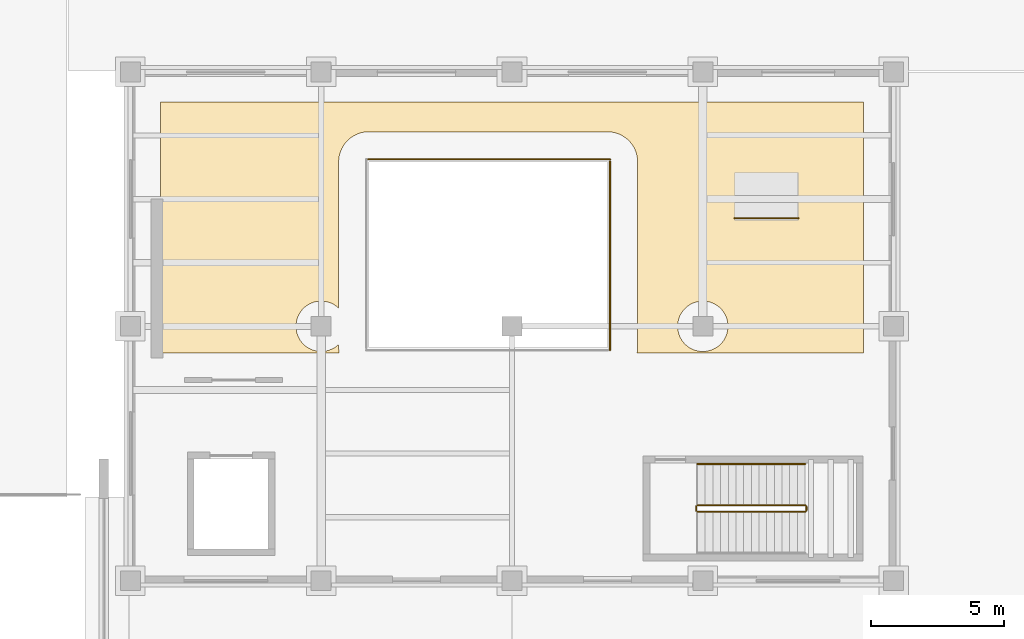
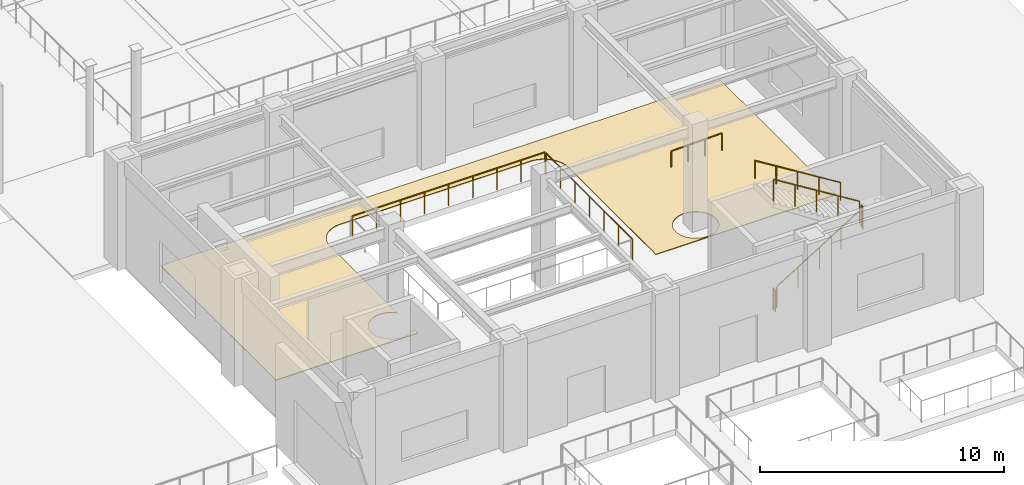
# One storey, part 148 of 164: 8 railings, 1 covering.
"""IFC4 building model written with IfcOpenShell, lengths in metres."""

from ifc_helpers import new_model, si_unit, direction, frame, origin, origin_2d, place, context, subcontext, project, spatial, polyline, circle, outline, extrude, material, layer, layer_set, type_object, element, save


model = new_model("IFC4")

# Units and contexts
model_context = context("Model", 3, precision=1e-05, world=origin(), true_north=direction((0.0, 1.0)))
body_context = subcontext(model_context, "Body", "Model", "MODEL_VIEW")
ifc_project = project(units=[si_unit("LENGTHUNIT", "METRE"), si_unit("AREAUNIT", "SQUARE_METRE"), si_unit("VOLUMEUNIT", "CUBIC_METRE"), si_unit("PLANEANGLEUNIT", "RADIAN"), si_unit("MASSUNIT", "GRAM", prefix="KILO")], contexts=[model_context])

# Site, building, storey
site_placement = place(None, origin())
site = spatial("IfcSite", under=ifc_project, at=site_placement, CompositionType="ELEMENT")
building_placement = place(site_placement, origin())
building = spatial("IfcBuilding", under=site, at=building_placement, Name="Mavantir Sound Aquarium", CompositionType="ELEMENT")
storey_placement = place(building_placement, origin())
storey = spatial("IfcBuildingStorey", under=building, at=storey_placement, Name="L00", CompositionType="ELEMENT", Elevation=0.0)

# Covering
ifc_material_1 = material(Name="Marine Epoxy Recycled-Shell Terrazzo Flooring")
ifc_layer = layer(ifc_material_1, 0.030029296875, Name="Marine Epoxy Recycled-Shell Terrazzo Flooring")
ifc_layer_set = layer_set([ifc_layer], Name="Marine Epoxy Recycled-Shell Terrazzo Flooring")
covering_type = type_object("IfcCoveringType", Name="COV-FLR-TZ", PredefinedType="FLOORING", material=ifc_layer_set)
covering_placement = place(storey_placement, origin())
element("IfcCovering", 1, at=covering_placement, inside=storey, type_object=covering_type, Name="L00 Main Public Reception, Ticketing and Harbour Arcade terrazzo flooring", PredefinedType="FLOORING", context=body_context, shape_type="SweptSolid", body=[
    extrude(outline(polyline([(94.860107421875, 32.4599609375), (94.860107421875, 23.0), (86.3212890625, 23.0), (86.325927734375, 23.023193359375), (86.329345703125, 23.04638671875), (86.337646484375, 23.130615234375), (86.3388671875, 23.154052734375), (86.340087890625, 23.199951171875), (86.340087890625, 30.199951171875), (86.3388671875, 30.245849609375), (86.337646484375, 30.269287109375), (86.329345703125, 30.353515625), (86.325927734375, 30.376708984375), (86.308837890625, 30.464111328125), (86.302978515625, 30.487060546875), (86.27587890625, 30.575927734375), (86.26806640625, 30.59814453125), (86.236328125, 30.67431640625), (86.226318359375, 30.695556640625), (86.183837890625, 30.775634765625), (86.171630859375, 30.7958984375), (86.122314453125, 30.86962890625), (86.108154296875, 30.888671875), (86.0517578125, 30.957275390625), (86.035888671875, 30.974609375), (85.974609375, 31.035888671875), (85.957275390625, 31.0517578125), (85.888671875, 31.108154296875), (85.86962890625, 31.122314453125), (85.7958984375, 31.171630859375), (85.775634765625, 31.183837890625), (85.695556640625, 31.226318359375), (85.67431640625, 31.236328125), (85.59814453125, 31.26806640625), (85.575927734375, 31.27587890625), (85.487060546875, 31.302978515625), (85.464111328125, 31.308837890625), (85.376708984375, 31.325927734375), (85.353515625, 31.329345703125), (85.269287109375, 31.337646484375), (85.245849609375, 31.3388671875), (85.199951171875, 31.340087890625), (76.199951171875, 31.340087890625), (76.154052734375, 31.3388671875), (76.130615234375, 31.337646484375), (76.04638671875, 31.329345703125), (76.023193359375, 31.325927734375), (75.935791015625, 31.308837890625), (75.912841796875, 31.302978515625), (75.823974609375, 31.27587890625), (75.802001953125, 31.26806640625), (75.7255859375, 31.236328125), (75.704345703125, 31.226318359375), (75.62451171875, 31.183837890625), (75.604248046875, 31.171630859375), (75.530517578125, 31.122314453125), (75.511474609375, 31.108154296875), (75.442626953125, 31.0517578125), (75.42529296875, 31.035888671875), (75.364013671875, 30.974609375), (75.34814453125, 30.957275390625), (75.291748046875, 30.888671875), (75.277587890625, 30.86962890625), (75.228271484375, 30.7958984375), (75.21630859375, 30.775634765625), (75.173583984375, 30.695556640625), (75.16357421875, 30.67431640625), (75.132080078125, 30.59814453125), (75.1240234375, 30.575927734375), (75.096923828125, 30.487060546875), (75.09130859375, 30.464111328125), (75.073974609375, 30.376708984375), (75.070556640625, 30.353515625), (75.0625, 30.269287109375), (75.061279296875, 30.245849609375), (75.06005859375, 30.199951171875), (75.06005859375, 24.682373046875), (75.002685546875, 24.734375), (74.927734375, 24.789794921875), (74.847900390625, 24.837890625), (74.763427734375, 24.877685546875), (74.67578125, 24.9091796875), (74.585205078125, 24.931640625), (74.4931640625, 24.9453125), (74.39990234375, 24.949951171875), (74.306884765625, 24.9453125), (74.214599609375, 24.931640625), (74.124267578125, 24.9091796875), (74.03662109375, 24.877685546875), (73.9521484375, 24.837890625), (73.872314453125, 24.789794921875), (73.79736328125, 24.734375), (73.728271484375, 24.671875), (73.66552734375, 24.602783203125), (73.610107421875, 24.52783203125), (73.562255859375, 24.44775390625), (73.522216796875, 24.363525390625), (73.490966796875, 24.27587890625), (73.46826171875, 24.185302734375), (73.45458984375, 24.093017578125), (73.449951171875, 24.0), (73.45458984375, 23.906982421875), (73.46826171875, 23.814697265625), (73.490966796875, 23.72412109375), (73.522216796875, 23.636474609375), (73.562255859375, 23.55224609375), (73.610107421875, 23.47216796875), (73.66552734375, 23.397216796875), (73.728271484375, 23.328125), (73.79736328125, 23.265625), (73.872314453125, 23.210205078125), (73.9521484375, 23.162109375), (74.03662109375, 23.122314453125), (74.124267578125, 23.0908203125), (74.214599609375, 23.068359375), (74.306884765625, 23.0546875), (74.39990234375, 23.050048828125), (74.4931640625, 23.0546875), (74.585205078125, 23.068359375), (74.67578125, 23.0908203125), (74.763427734375, 23.122314453125), (74.847900390625, 23.162109375), (74.927734375, 23.210205078125), (75.002685546875, 23.265625), (75.06005859375, 23.317626953125), (75.06005859375, 23.199951171875), (75.061279296875, 23.154052734375), (75.0625, 23.130615234375), (75.070556640625, 23.04638671875), (75.073974609375, 23.023193359375), (75.07861328125, 23.0), (68.340087890625, 23.0), (68.340087890625, 32.4599609375), (94.860107421875, 32.4599609375)]), holes=[polyline([(89.534423828125, 23.397216796875), (89.58984375, 23.47216796875), (89.6376953125, 23.55224609375), (89.677734375, 23.636474609375), (89.708984375, 23.72412109375), (89.731689453125, 23.814697265625), (89.745361328125, 23.906982421875), (89.75, 24.0), (89.745361328125, 24.093017578125), (89.731689453125, 24.185302734375), (89.708984375, 24.27587890625), (89.677734375, 24.363525390625), (89.6376953125, 24.44775390625), (89.58984375, 24.52783203125), (89.534423828125, 24.602783203125), (89.4716796875, 24.671875), (89.402587890625, 24.734375), (89.327880859375, 24.789794921875), (89.247802734375, 24.837890625), (89.16357421875, 24.877685546875), (89.07568359375, 24.9091796875), (88.9853515625, 24.931640625), (88.89306640625, 24.9453125), (88.800048828125, 24.949951171875), (88.706787109375, 24.9453125), (88.61474609375, 24.931640625), (88.524169921875, 24.9091796875), (88.4365234375, 24.877685546875), (88.352294921875, 24.837890625), (88.272216796875, 24.789794921875), (88.197265625, 24.734375), (88.128173828125, 24.671875), (88.065673828125, 24.602783203125), (88.010009765625, 24.52783203125), (87.962158203125, 24.44775390625), (87.92236328125, 24.363525390625), (87.890869140625, 24.27587890625), (87.868408203125, 24.185302734375), (87.8544921875, 24.093017578125), (87.85009765625, 24.0), (87.8544921875, 23.906982421875), (87.868408203125, 23.814697265625), (87.890869140625, 23.72412109375), (87.92236328125, 23.636474609375), (87.962158203125, 23.55224609375), (88.010009765625, 23.47216796875), (88.065673828125, 23.397216796875), (88.128173828125, 23.328125), (88.197265625, 23.265625), (88.272216796875, 23.210205078125), (88.352294921875, 23.162109375), (88.4365234375, 23.122314453125), (88.524169921875, 23.0908203125), (88.61474609375, 23.068359375), (88.706787109375, 23.0546875), (88.800048828125, 23.050048828125), (88.89306640625, 23.0546875), (88.9853515625, 23.068359375), (89.07568359375, 23.0908203125), (89.16357421875, 23.122314453125), (89.247802734375, 23.162109375), (89.327880859375, 23.210205078125), (89.402587890625, 23.265625), (89.4716796875, 23.328125), (89.534423828125, 23.397216796875)])]), origin(), (0.0, 0.0, 1.0), 0.030029296875),
])

# Railings
ifc_material_2 = material(Name="Stainless Steel 316 and Laminated Glass Guardrail", Category="steel")
railing_type_1 = type_object("IfcRailingType", Name="RL-GUARD-110", PredefinedType="GUARDRAIL", material=ifc_material_2)
railing_1_placement = place(storey_placement, frame((85.300048828125, 23.10009765625, 0.0)))
element("IfcRailing", 2, at=railing_1_placement, inside=storey, type_object=railing_type_1, Name="L00 atrium void E guardrail 64", PredefinedType="GUARDRAIL", context=body_context, shape_type="SweptSolid", body=[
    extrude(circle(Radius=0.02392578125, at=origin_2d()), frame((0.0, 0.0, 1.076171875), z_axis=(0.0, 1.0, 0.0), x_axis=(-1.0, 0.0, 0.0)), (0.0, 0.0, 1.0), 7.119873046875),
    extrude(circle(Radius=0.02099609375, at=origin_2d()), origin(), (0.0, 0.0, 1.0), 1.052001953125),
    extrude(circle(Radius=0.02099609375, at=origin_2d()), frame((0.0, 1.1865234375, 0.0)), (0.0, 0.0, 1.0), 1.052001953125),
    extrude(circle(Radius=0.02099609375, at=origin_2d()), frame((0.0, 2.373291015625, 0.0)), (0.0, 0.0, 1.0), 1.052001953125),
    extrude(circle(Radius=0.02099609375, at=origin_2d()), frame((0.0, 3.56005859375, 0.0)), (0.0, 0.0, 1.0), 1.052001953125),
    extrude(circle(Radius=0.02099609375, at=origin_2d()), frame((0.0, 4.74658203125, 0.0)), (0.0, 0.0, 1.0), 1.052001953125),
    extrude(circle(Radius=0.02099609375, at=origin_2d()), frame((0.0, 5.93310546875, 0.0)), (0.0, 0.0, 1.0), 1.052001953125),
    extrude(circle(Radius=0.02099609375, at=origin_2d()), frame((0.0, 7.119873046875, 0.0)), (0.0, 0.0, 1.0), 1.052001953125),
])
railing_2_placement = place(storey_placement, frame((85.300048828125, 30.300048828125, 0.0)))
element("IfcRailing", 3, at=railing_2_placement, inside=storey, type_object=railing_type_1, Name="L00 atrium void N guardrail 65", PredefinedType="GUARDRAIL", context=body_context, shape_type="SweptSolid", body=[
    extrude(circle(Radius=0.02392578125, at=origin_2d()), frame((0.0, 0.0, 1.076171875), z_axis=(-1.0, 0.0, 0.0), x_axis=(0.0, -1.0, 0.0)), (0.0, 0.0, 1.0), 9.1201171875),
    extrude(circle(Radius=0.02099609375, at=origin_2d()), origin(), (0.0, 0.0, 1.0), 1.052001953125),
    extrude(circle(Radius=0.02099609375, at=origin_2d()), frame((-1.14013671875, 0.0, 0.0)), (0.0, 0.0, 1.0), 1.052001953125),
    extrude(circle(Radius=0.02099609375, at=origin_2d()), frame((-2.280029296875, 0.0, 0.0)), (0.0, 0.0, 1.0), 1.052001953125),
    extrude(circle(Radius=0.02099609375, at=origin_2d()), frame((-3.419921875, 0.0, 0.0)), (0.0, 0.0, 1.0), 1.052001953125),
    extrude(circle(Radius=0.02099609375, at=origin_2d()), frame((-4.56005859375, 0.0, 0.0)), (0.0, 0.0, 1.0), 1.052001953125),
    extrude(circle(Radius=0.02099609375, at=origin_2d()), frame((-5.7001953125, 0.0, 0.0)), (0.0, 0.0, 1.0), 1.052001953125),
    extrude(circle(Radius=0.02099609375, at=origin_2d()), frame((-6.840087890625, 0.0, 0.0)), (0.0, 0.0, 1.0), 1.052001953125),
    extrude(circle(Radius=0.02099609375, at=origin_2d()), frame((-7.97998046875, 0.0, 0.0)), (0.0, 0.0, 1.0), 1.052001953125),
    extrude(circle(Radius=0.02099609375, at=origin_2d()), frame((-9.1201171875, 0.0, 0.0)), (0.0, 0.0, 1.0), 1.052001953125),
])
railing_3_placement = place(storey_placement, frame((88.60009765625, 17.0, 0.179931640625)))
element("IfcRailing", 4, at=railing_3_placement, inside=storey, type_object=railing_type_1, Name="L00 ST11 stair guard 1", PredefinedType="GUARDRAIL", context=body_context, shape_type="SweptSolid", body=[
    extrude(circle(Radius=0.02392578125, at=origin_2d()), frame((0.0, 0.0, 1.076171875), z_axis=(0.849627535208, 0.0, 0.527383211162), x_axis=(0.0, 1.0, 0.0)), (0.0, 0.0, 1.0), 4.7783203125),
    extrude(circle(Radius=0.02099609375, at=origin_2d()), origin(), (0.0, 0.0, 1.0), 1.052001953125),
    extrude(circle(Radius=0.02099609375, at=origin_2d()), frame((1.014892578125, 0.0, 0.6298828125)), (0.0, 0.0, 1.0), 1.052001953125),
    extrude(circle(Radius=0.02099609375, at=origin_2d()), frame((2.02978515625, 0.0, 1.260009765625)), (0.0, 0.0, 1.0), 1.052001953125),
    extrude(circle(Radius=0.02099609375, at=origin_2d()), frame((3.044921875, 0.0, 1.89013671875)), (0.0, 0.0, 1.0), 1.052001953125),
    extrude(circle(Radius=0.02099609375, at=origin_2d()), frame((4.059814453125, 0.0, 2.52001953125)), (0.0, 0.0, 1.0), 1.052001953125),
])
railing_4_placement = place(storey_placement, frame((92.7099609375, 17.050048828125, 2.699951171875)))
element("IfcRailing", 5, at=railing_4_placement, inside=storey, type_object=railing_type_1, Name="L00 ST11 stair guard 2", PredefinedType="GUARDRAIL", context=body_context, shape_type="SweptSolid", body=[
    extrude(circle(Radius=0.02392578125, at=origin_2d()), frame((0.0, 0.0, 1.076171875), z_axis=(0.0, 1.0, 0.0), x_axis=(-1.0, 0.0, 0.0)), (0.0, 0.0, 1.0), 0.14990234375),
    extrude(circle(Radius=0.02099609375, at=origin_2d()), origin(), (0.0, 0.0, 1.0), 1.052001953125),
    extrude(circle(Radius=0.02099609375, at=origin_2d()), frame((0.0, 0.14990234375, 0.0)), (0.0, 0.0, 1.0), 1.052001953125),
])
railing_5_placement = place(storey_placement, frame((92.659912109375, 17.25, 2.8798828125)))
element("IfcRailing", 6, at=railing_5_placement, inside=storey, type_object=railing_type_1, Name="L00 ST11 stair guard 3", PredefinedType="GUARDRAIL", context=body_context, shape_type="SweptSolid", body=[
    extrude(circle(Radius=0.02392578125, at=origin_2d()), frame((0.0, 0.0, 1.076171875), z_axis=(-0.849627535208, 0.0, 0.527383211162), x_axis=(0.0, -1.0, 0.0)), (0.0, 0.0, 1.0), 4.7783203125),
    extrude(circle(Radius=0.02099609375, at=origin_2d()), origin(), (0.0, 0.0, 1.0), 1.052001953125),
    extrude(circle(Radius=0.02099609375, at=origin_2d()), frame((-1.014892578125, 0.0, 0.6298828125)), (0.0, 0.0, 1.0), 1.052001953125),
    extrude(circle(Radius=0.02099609375, at=origin_2d()), frame((-2.02978515625, 0.0, 1.260009765625)), (0.0, 0.0, 1.0), 1.052001953125),
    extrude(circle(Radius=0.02099609375, at=origin_2d()), frame((-3.044921875, 0.0, 1.89013671875)), (0.0, 0.0, 1.0), 1.052001953125),
    extrude(circle(Radius=0.02099609375, at=origin_2d()), frame((-4.059814453125, 0.0, 2.52001953125)), (0.0, 0.0, 1.0), 1.052001953125),
])
railing_6_placement = place(storey_placement, frame((88.550048828125, 17.050048828125, 0.0)))
element("IfcRailing", 7, at=railing_6_placement, inside=storey, type_object=railing_type_1, Name="L00 ST11 stair guard 4", PredefinedType="GUARDRAIL", context=body_context, shape_type="SweptSolid", body=[
    extrude(circle(Radius=0.02392578125, at=origin_2d()), frame((0.0, 0.0, 1.076171875), z_axis=(0.0, 1.0, 0.0), x_axis=(-1.0, 0.0, 0.0)), (0.0, 0.0, 1.0), 0.14990234375),
    extrude(circle(Radius=0.02099609375, at=origin_2d()), origin(), (0.0, 0.0, 1.0), 1.052001953125),
    extrude(circle(Radius=0.02099609375, at=origin_2d()), frame((0.0, 0.14990234375, 0.0)), (0.0, 0.0, 1.0), 1.052001953125),
])
ifc_material_3 = material(Name="Brushed Stainless Steel 316 Handrail", Category="steel")
railing_type_2 = type_object("IfcRailingType", Name="RL-HR-90", PredefinedType="HANDRAIL", material=ifc_material_3)
railing_7_placement = place(storey_placement, frame((92.659912109375, 18.800048828125, 3.06494140625)))
element("IfcRailing", 8, at=railing_7_placement, inside=storey, type_object=railing_type_2, Name="L00 ST11 stair handrail 2", PredefinedType="HANDRAIL", context=body_context, shape_type="SweptSolid", body=[
    extrude(circle(Radius=0.02392578125, at=origin_2d()), frame((0.0, 0.0, 0.89111328125), z_axis=(-0.849627535208, 0.0, 0.527383211162), x_axis=(0.0, -1.0, 0.0)), (0.0, 0.0, 1.0), 4.7783203125),
    extrude(circle(Radius=0.02099609375, at=origin_2d()), origin(), (0.0, 0.0, 1.0), 0.866943359375),
    extrude(circle(Radius=0.02099609375, at=origin_2d()), frame((-1.014892578125, 0.0, 0.6298828125)), (0.0, 0.0, 1.0), 0.866943359375),
    extrude(circle(Radius=0.02099609375, at=origin_2d()), frame((-2.02978515625, 0.0, 1.260009765625)), (0.0, 0.0, 1.0), 0.866943359375),
    extrude(circle(Radius=0.02099609375, at=origin_2d()), frame((-3.044921875, 0.0, 1.89013671875)), (0.0, 0.0, 1.0), 0.866943359375),
    extrude(circle(Radius=0.02099609375, at=origin_2d()), frame((-4.059814453125, 0.0, 2.52001953125)), (0.0, 0.0, 1.0), 0.866943359375),
])
railing_8_placement = place(storey_placement, frame((90.0, 28.080078125, -0.06005859375)))
element("IfcRailing", 9, at=railing_8_placement, inside=storey, type_object=railing_type_2, Name="L00 accessible ramp handrail 3", PredefinedType="HANDRAIL", context=body_context, shape_type="SweptSolid", body=[
    extrude(circle(Radius=0.02392578125, at=origin_2d()), frame((0.0, 0.0, 0.89111328125), z_axis=(0.999687010872, 0.0, 0.025017599662), x_axis=(0.0, 1.0, 0.0)), (0.0, 0.0, 1.0), 2.400634765625),
    extrude(circle(Radius=0.02099609375, at=origin_2d()), origin(), (0.0, 0.0, 1.0), 0.866943359375),
    extrude(circle(Radius=0.02099609375, at=origin_2d()), frame((0.800048828125, 0.0, 0.02001953125)), (0.0, 0.0, 1.0), 0.866943359375),
    extrude(circle(Radius=0.02099609375, at=origin_2d()), frame((1.599853515625, 0.0, 0.0400390625)), (0.0, 0.0, 1.0), 0.866943359375),
    extrude(circle(Radius=0.02099609375, at=origin_2d()), frame((2.39990234375, 0.0, 0.06005859375)), (0.0, 0.0, 1.0), 0.866943359375),
])

save(model, "model.ifc")
